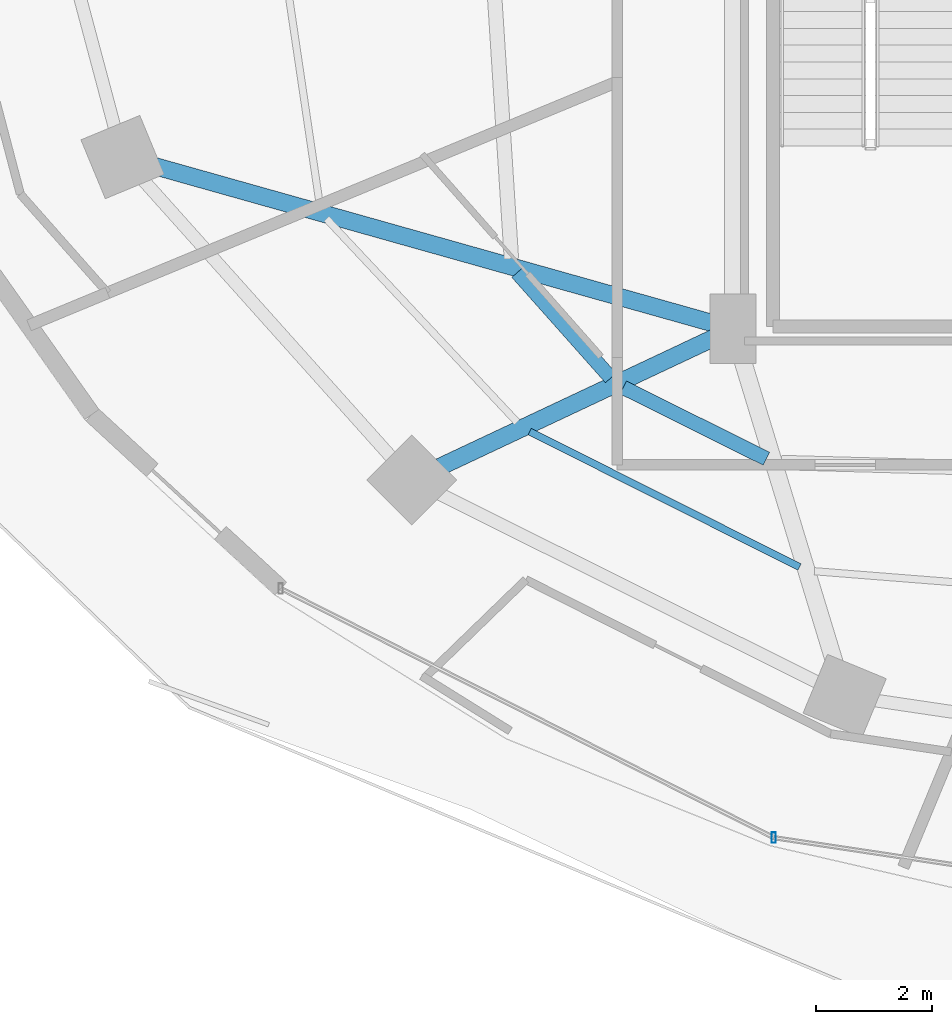
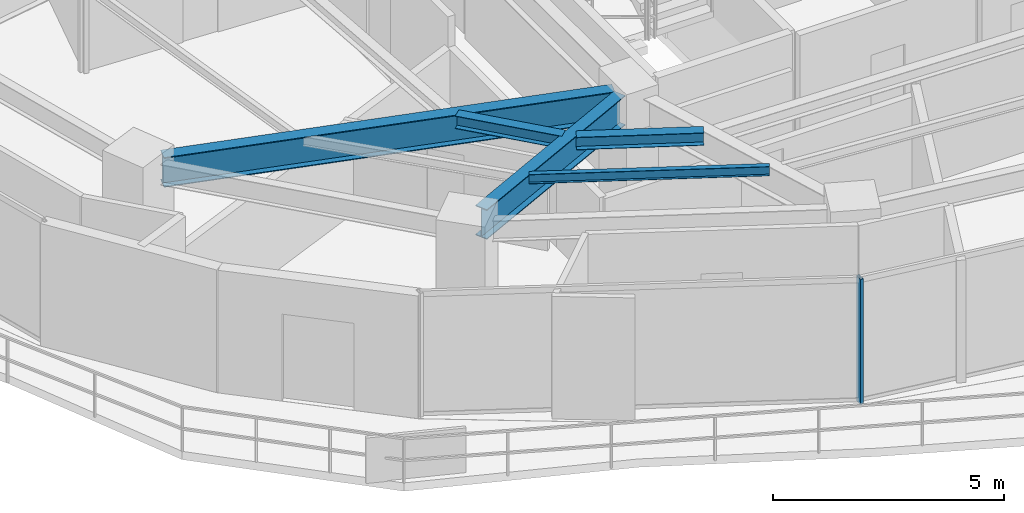
# One storey, part 4 of 30: 5 beams, 1 member, 1 element without a shape of its own.
"""IFC4 building model written with IfcOpenShell, lengths in metres."""

from ifc_helpers import new_model, si_unit, direction, frame, origin, origin_2d, place, context, subcontext, project, spatial, hollow_rectangle, i_section, extrude, material, material_profile, profile_set, type_object, element, aggregate, save


model = new_model("IFC4")

# Units and contexts
model_context = context("Model", 3, precision=1e-05, world=origin(), true_north=direction((0.0, 1.0)))
body_context = subcontext(model_context, "Body", "Model", "MODEL_VIEW")
ifc_project = project(units=[si_unit("LENGTHUNIT", "METRE"), si_unit("AREAUNIT", "SQUARE_METRE"), si_unit("VOLUMEUNIT", "CUBIC_METRE"), si_unit("PLANEANGLEUNIT", "RADIAN"), si_unit("MASSUNIT", "GRAM", prefix="KILO")], contexts=[model_context])

# Site, building, storey
site_placement = place(None, origin())
site = spatial("IfcSite", under=ifc_project, at=site_placement, CompositionType="ELEMENT")
building_placement = place(site_placement, origin())
building = spatial("IfcBuilding", under=site, at=building_placement, Name="Vorneva Point Tower", CompositionType="ELEMENT")
storey_placement = place(building_placement, frame((0.0, 0.0, 106.800048828125)))
storey = spatial("IfcBuildingStorey", under=building, at=storey_placement, Name="L28", CompositionType="ELEMENT", Elevation=106.800048828125)

# Beams
ifc_material_1 = material(Name="Steel S355", Category="steel")
ifc_material_profile_1 = material_profile(ifc_material_1, i_section(OverallWidth=0.300048828125, OverallDepth=0.7880859375, WebThickness=0.014404296875, FlangeThickness=0.02197265625, at=origin_2d()), Name="80Sh1")
ifc_profile_set_1 = profile_set([ifc_material_profile_1], Name="Steel S355")
beam_type_1 = type_object("IfcBeamType", Name="BM-GRD-80Sh1", PredefinedType="USERDEFINED", material=ifc_profile_set_1)
beam_1_placement = place(storey_placement, frame((17.222412109375, 19.272216796875, 2.845947265625), z_axis=(0.962598038366, -0.270933601708, 0.0), x_axis=(0.270933601708, 0.962598038366, 0.0)))
element("IfcBeam", 1, at=beam_1_placement, inside=storey, type_object=beam_type_1, Name="L28 Radial Primary Girder 10", ObjectType="GIRDER", PredefinedType="USERDEFINED", context=body_context, shape_type="SweptSolid", body=[
    extrude(i_section(OverallWidth=0.300048828125, OverallDepth=0.7880859375, WebThickness=0.014404296875, FlangeThickness=0.02197265625, at=origin_2d()), origin(), (0.0, 0.0, 1.0), 10.0771484375),
])
beam_2_placement = place(storey_placement, frame((22.18798828125, 14.06689453125, 2.845947265625), z_axis=(0.904751304927, 0.425940226126, 0.0), x_axis=(-0.425940226126, 0.904751304927, 0.0)))
element("IfcBeam", 2, at=beam_2_placement, inside=storey, type_object=beam_type_1, Name="L28 Radial Primary Girder 11", ObjectType="GIRDER", PredefinedType="USERDEFINED", context=body_context, shape_type="SweptSolid", body=[
    extrude(i_section(OverallWidth=0.300048828125, OverallDepth=0.7880859375, WebThickness=0.014404296875, FlangeThickness=0.02197265625, at=origin_2d()), origin(), (0.0, 0.0, 1.0), 5.2548828125),
])
ifc_material_profile_2 = material_profile(ifc_material_1, i_section(OverallWidth=0.1240234375, OverallDepth=0.248046875, WebThickness=0.0048828125, FlangeThickness=0.008056640625, at=origin_2d()), Name="25B1")
ifc_profile_set_2 = profile_set([ifc_material_profile_2], Name="Steel S355")
beam_type_2 = type_object("IfcBeamType", Name="BM-JST-25B1", PredefinedType="JOIST", material=ifc_profile_set_2)
beam_3_placement = place(storey_placement, frame((23.737548828125, 14.676513671875, 3.115966796875), z_axis=(0.893620424301, -0.448823503476, 0.0), x_axis=(0.448823503476, 0.893620424301, 0.0)))
element("IfcBeam", 3, at=beam_3_placement, inside=storey, type_object=beam_type_2, Name="L28 Secondary Floor Beam 1.11", PredefinedType="JOIST", context=body_context, shape_type="SweptSolid", body=[
    extrude(i_section(OverallWidth=0.1240234375, OverallDepth=0.248046875, WebThickness=0.0048828125, FlangeThickness=0.008056640625, at=origin_2d()), origin(), (0.0, 0.0, 1.0), 5.21435546875),
])
ifc_material_profile_3 = material_profile(ifc_material_1, i_section(OverallWidth=0.2490234375, OverallDepth=0.333984375, WebThickness=0.008056640625, FlangeThickness=0.010986328125, at=origin_2d()), Name="35Sh1")
ifc_profile_set_3 = profile_set([ifc_material_profile_3], Name="Steel S355")
beam_type_3 = type_object("IfcBeamType", Name="BM-SEC-35Sh1", PredefinedType="BEAM", material=ifc_profile_set_3)
beam_4_placement = place(storey_placement, frame((23.522216796875, 17.421875, 3.072998046875), z_axis=(0.664307805545, -0.747459122289, 0.0), x_axis=(0.747459122289, 0.664307805545, 0.0)))
element("IfcBeam", 4, at=beam_4_placement, inside=storey, type_object=beam_type_3, Name="L28 Secondary Floor Beam 2.10", PredefinedType="BEAM", context=body_context, shape_type="SweptSolid", body=[
    extrude(i_section(OverallWidth=0.2490234375, OverallDepth=0.333984375, WebThickness=0.008056640625, FlangeThickness=0.010986328125, at=origin_2d()), origin(), (0.0, 0.0, 1.0), 2.43408203125),
])
beam_5_placement = place(storey_placement, frame((25.354248046875, 15.43798828125, 3.072998046875), z_axis=(0.895132850835, -0.445799483351, 0.0), x_axis=(0.445799483351, 0.895132850835, 0.0)))
element("IfcBeam", 5, at=beam_5_placement, inside=storey, type_object=beam_type_3, Name="L28 Secondary Floor Beam 2.11", PredefinedType="BEAM", context=body_context, shape_type="SweptSolid", body=[
    extrude(i_section(OverallWidth=0.2490234375, OverallDepth=0.333984375, WebThickness=0.008056640625, FlangeThickness=0.010986328125, at=origin_2d()), origin(), (0.0, 0.0, 1.0), 2.763427734375),
])

# Curtain wall, member
ifc_material_2 = material(Name="Pale anodised aluminium", Category="aluminium")
curtain_wall_type = type_object("IfcCurtainWallType", Name="CW-HTL-SYS", PredefinedType="NOTDEFINED", material=ifc_material_2)
curtain_wall_placement = place(storey_placement, origin())
curtain_wall = element("IfcCurtainWall", 6, at=curtain_wall_placement, inside=storey, type_object=curtain_wall_type, Name="L28 Unitised Curtain Wall CW-L28-R04", PredefinedType="NOTDEFINED")
ifc_material_profile_4 = material_profile(ifc_material_2, hollow_rectangle(XDim=0.074951171875, YDim=0.179931640625, WallThickness=0.00390625, at=origin_2d()), Name="AL-MUL 180x75x4")
ifc_profile_set_4 = profile_set([ifc_material_profile_4], Name="Pale anodised aluminium")
member_type = type_object("IfcMemberType", Name="CW-MUL-180", PredefinedType="MULLION", material=ifc_profile_set_4)
member_placement = place(storey_placement, frame((27.95458984375, 7.660888671875, -0.0400390625), z_axis=(0.0, 0.0, 1.0), x_axis=(1.0, 0.0, 0.0)))
member = element("IfcMember", 7, at=member_placement, type_object=member_type, Name="CW-L28-R04 Mullion 02", PredefinedType="MULLION", context=body_context, shape_type="SweptSolid", body=[
    extrude(hollow_rectangle(XDim=0.074951171875, YDim=0.179931640625, WallThickness=0.00390625, at=origin_2d()), origin(), (0.0, 0.0, 1.0), 3.31005859375),
])
aggregate(curtain_wall, [member])

save(model, "model.ifc")
